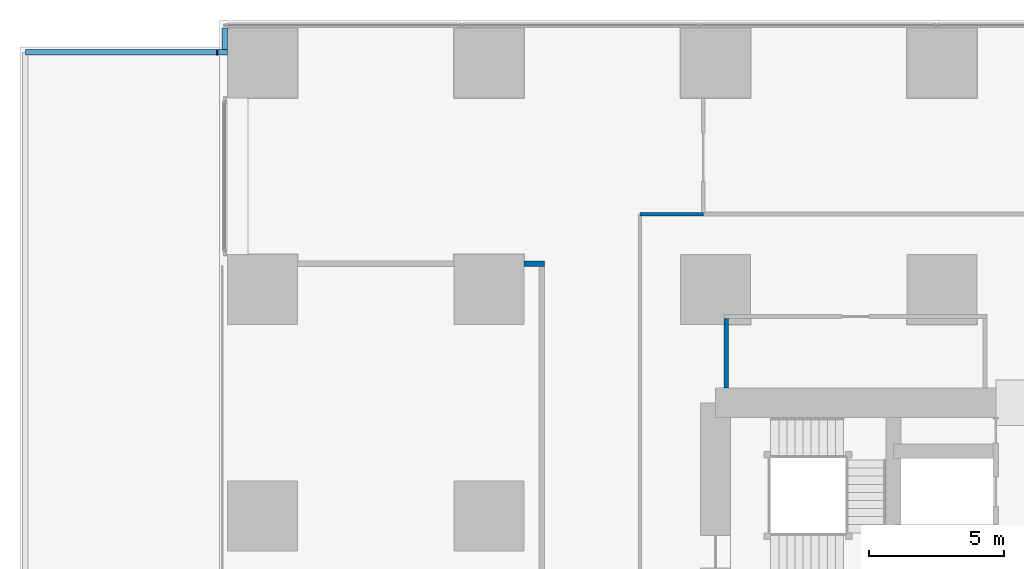
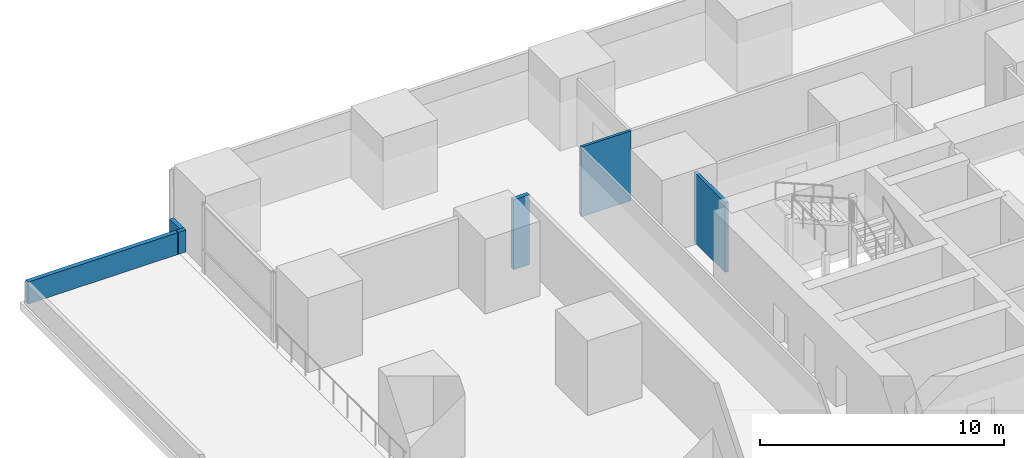
# One storey, part 23 of 35: 7 walls.
"""IFC4 building model written with IfcOpenShell, lengths in metres."""

from ifc_helpers import new_model, si_unit, direction, frame, frame_2d, origin, place, context, subcontext, project, spatial, rectangle, extrude, material, layer, layer_set, type_object, element, save


model = new_model("IFC4")

# Units and contexts
model_context = context("Model", 3, precision=1e-05, world=origin(), true_north=direction((0.0, 1.0)))
body_context = subcontext(model_context, "Body", "Model", "MODEL_VIEW")
ifc_project = project(units=[si_unit("LENGTHUNIT", "METRE"), si_unit("AREAUNIT", "SQUARE_METRE"), si_unit("VOLUMEUNIT", "CUBIC_METRE"), si_unit("PLANEANGLEUNIT", "RADIAN"), si_unit("MASSUNIT", "GRAM", prefix="KILO")], contexts=[model_context])

# Site, building, storey
site_placement = place(None, origin())
site = spatial("IfcSite", under=ifc_project, at=site_placement, CompositionType="ELEMENT")
building_placement = place(site_placement, origin())
building = spatial("IfcBuilding", under=site, at=building_placement, Name="Rekha Terrace Tower", CompositionType="ELEMENT")
storey_placement = place(building_placement, frame((0.0, 0.0, 25.39990234375)))
storey = spatial("IfcBuildingStorey", under=building, at=storey_placement, Name="L05", CompositionType="ELEMENT", Elevation=25.39990234375)

# Walls
ifc_material_1 = material(Name="Concrete M40", Category="concrete")
ifc_layer_1 = layer(ifc_material_1, 0.199951171875)
ifc_layer_set_1 = layer_set([ifc_layer_1], Name="Concrete M40")
wall_type_1 = type_object("IfcWallType", Name="PP1 parapet wall 200", PredefinedType="PARAPET", material=ifc_layer_set_1)
wall_1_placement = place(storey_placement, frame((6.739990234375, 59.199951171875, 0.0), z_axis=(0.0, 0.0, 1.0), x_axis=(-1.0, 0.0, 0.0)))
element("IfcWall", 1, at=wall_1_placement, inside=storey, type_object=wall_type_1, Name="Podium roof parapet", PredefinedType="PARAPET", context=body_context, shape_type="SweptSolid", body=[
    extrude(rectangle(XDim=0.03515625, YDim=0.199951171875, at=frame_2d((0.017578125, 0.0))), origin(), (0.0, 0.0, 1.0), 1.10009765625),
])
wall_2_placement = place(storey_placement, frame((6.704833984375, 59.199951171875, 0.0), z_axis=(0.0, 0.0, 1.0), x_axis=(-1.0, 0.0, 0.0)))
element("IfcWall", 2, at=wall_2_placement, inside=storey, type_object=wall_type_1, Name="Podium roof parapet", PredefinedType="PARAPET", context=body_context, shape_type="SweptSolid", body=[
    extrude(rectangle(XDim=7.104736328125, YDim=0.199951171875, at=frame_2d((3.55224609375, 0.0))), origin(), (0.0, 0.0, 1.0), 1.10009765625),
])
wall_3_placement = place(storey_placement, frame((6.739990234375, 59.199951171875, 0.0), z_axis=(0.0, 0.0, 1.0), x_axis=(1.0, 0.0, 0.0)))
element("IfcWall", 3, at=wall_3_placement, inside=storey, type_object=wall_type_1, Name="Podium roof parapet", PredefinedType="PARAPET", context=body_context, shape_type="SweptSolid", body=[
    extrude(rectangle(XDim=0.360107421875, YDim=0.199951171875, at=frame_2d((0.18017578125, 0.0))), origin(), (0.0, 0.0, 1.0), 1.10009765625),
])
wall_4_placement = place(storey_placement, frame((7.0, 59.300048828125, 0.0), z_axis=(0.0, 0.0, 1.0), x_axis=(0.0, 1.0, 0.0)))
element("IfcWall", 4, at=wall_4_placement, inside=storey, type_object=wall_type_1, Name="Podium roof parapet", PredefinedType="PARAPET", context=body_context, shape_type="SweptSolid", body=[
    extrude(rectangle(XDim=0.81005859375, YDim=0.199951171875, at=frame_2d((0.405029296875, 0.0))), origin(), (0.0, 0.0, 1.0), 1.10009765625),
])
ifc_material_2 = material(Name="Concrete block masonry, 1 hour", Category="masonry")
ifc_layer_2 = layer(ifc_material_2, 0.14990234375)
ifc_layer_set_2 = layer_set([ifc_layer_2], Name="Concrete block masonry, 1 hour")
wall_type_2 = type_object("IfcWallType", Name="WP2 150 tenancy partition", PredefinedType="PARTITIONING", material=ifc_layer_set_2)
wall_5_placement = place(storey_placement, frame((25.60009765625, 46.75, 0.0), z_axis=(0.0, 0.0, 1.0), x_axis=(0.0, 1.0, 0.0)))
element("IfcWall", 5, at=wall_5_placement, inside=storey, type_object=wall_type_2, Name="Women's WC wall L05", PredefinedType="PARTITIONING", context=body_context, shape_type="SweptSolid", body=[
    extrude(rectangle(XDim=2.574951171875, YDim=0.14990234375, at=frame_2d((1.28759765625, 0.0))), origin(), (0.0, 0.0, 1.0), 3.5),
])
ifc_material_3 = material(Name="Two layers of fire-rated gypsum board each side on steel studs, acoustic quilt, 1 hour", Category="steel")
ifc_layer_3 = layer(ifc_material_3, 0.125)
ifc_layer_set_3 = layer_set([ifc_layer_3], Name="Two layers of fire-rated gypsum board each side on steel studs, acoustic quilt, 1 hour")
wall_type_3 = type_object("IfcWallType", Name="WP3 125 office partition", PredefinedType="PARTITIONING", material=ifc_layer_set_3)
wall_6_placement = place(storey_placement, frame((24.75, 53.199951171875, 0.0), z_axis=(0.0, 0.0, 1.0), x_axis=(-1.0, 0.0, 0.0)))
element("IfcWall", 6, at=wall_6_placement, inside=storey, type_object=wall_type_3, Name="Partition L05-15", PredefinedType="PARTITIONING", context=body_context, shape_type="SweptSolid", body=[
    extrude(rectangle(XDim=2.35009765625, YDim=0.125, at=frame_2d((1.175048828125, 0.0))), origin(), (0.0, 0.0, 1.0), 3.5),
])
ifc_material_4 = material(Name="Solid concrete block masonry, 2 hour", Category="masonry")
ifc_layer_4 = layer(ifc_material_4, 0.199951171875)
ifc_layer_set_4 = layer_set([ifc_layer_4], Name="Solid concrete block masonry, 2 hour")
wall_type_4 = type_object("IfcWallType", Name="WS1 200 stair and shaft enclosure", PredefinedType="PARTITIONING", material=ifc_layer_set_4)
wall_7_placement = place(storey_placement, frame((18.10009765625, 51.360107421875, 0.0), z_axis=(0.0, 0.0, 1.0), x_axis=(1.0, 0.0, 0.0)))
element("IfcWall", 7, at=wall_7_placement, inside=storey, type_object=wall_type_4, Name="Refuge area north wall L05", PredefinedType="PARTITIONING", context=body_context, shape_type="SweptSolid", body=[
    extrude(rectangle(XDim=0.75, YDim=0.199951171875, at=frame_2d((0.375, 0.0))), origin(), (0.0, 0.0, 1.0), 3.5),
])

save(model, "model.ifc")
